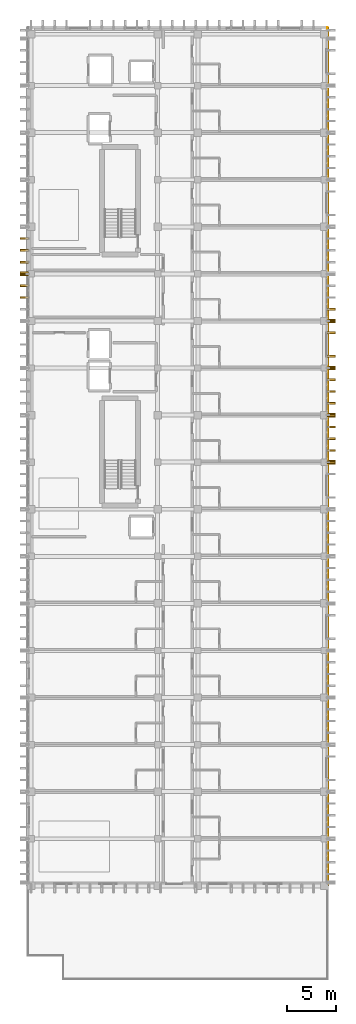
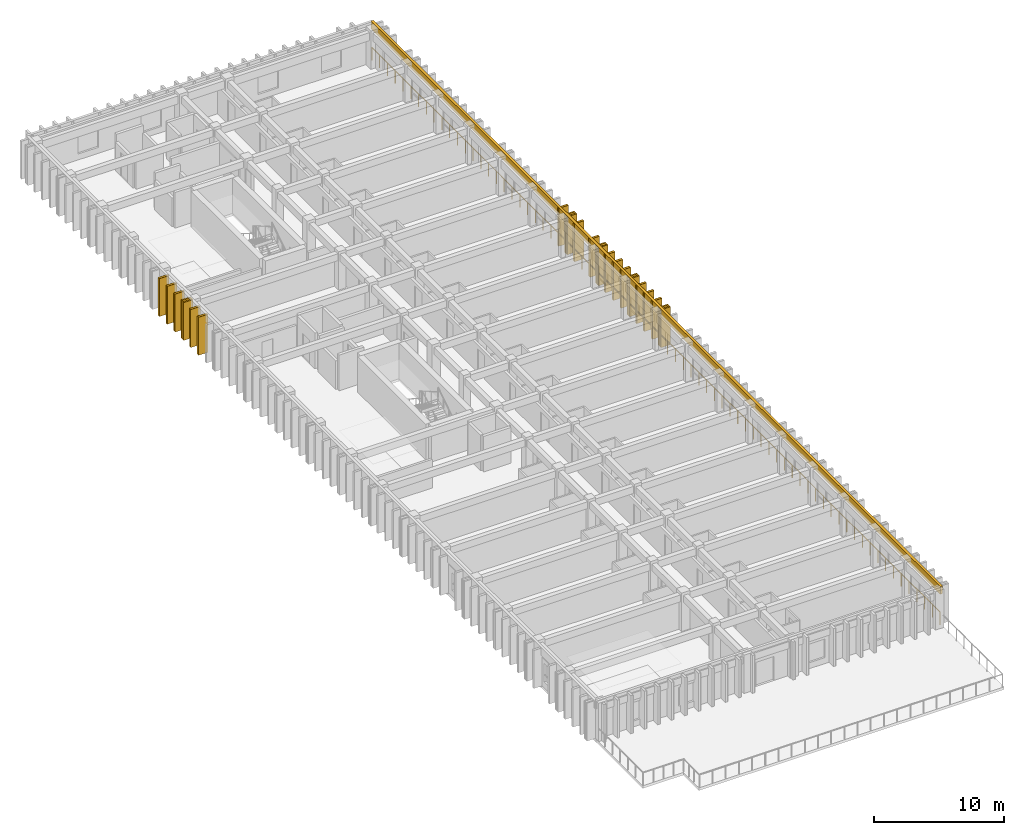
# One storey, part 62 of 64: 20 coverings, 19 shading devices, 1 railing.
"""IFC4 building model written with IfcOpenShell, lengths in metres."""

from ifc_helpers import new_model, si_unit, direction, frame, origin, origin_2d, place, context, subcontext, project, spatial, rectangle, circle, extrude, material, layer, layer_set, type_object, element, save


model = new_model("IFC4")

# Units and contexts
model_context = context("Model", 3, precision=1e-05, world=origin(), true_north=direction((0.0, 1.0)))
body_context = subcontext(model_context, "Body", "Model", "MODEL_VIEW")
ifc_project = project(units=[si_unit("LENGTHUNIT", "METRE"), si_unit("AREAUNIT", "SQUARE_METRE"), si_unit("VOLUMEUNIT", "CUBIC_METRE"), si_unit("PLANEANGLEUNIT", "RADIAN"), si_unit("MASSUNIT", "GRAM", prefix="KILO")], contexts=[model_context])

# Site, building, storey
site_placement = place(None, origin())
site = spatial("IfcSite", under=ifc_project, at=site_placement, CompositionType="ELEMENT")
building_placement = place(site_placement, origin())
building = spatial("IfcBuilding", under=site, at=building_placement, Name="Nakhvara Creek Congress Hotel", CompositionType="ELEMENT")
storey_placement = place(building_placement, frame((0.0, 0.0, 28.199951171875)))
storey = spatial("IfcBuildingStorey", under=building, at=storey_placement, Name="L06", CompositionType="ELEMENT", Elevation=28.199951171875)

# Coverings
ifc_material_1 = material(Name="Honed pale Omani limestone architectural cladding", Category="masonry")
ifc_layer_1 = layer(ifc_material_1, 0.219970703125)
ifc_layer_set_1 = layer_set([ifc_layer_1], Name="Honed pale Omani limestone architectural cladding")
covering_type_1 = type_object("IfcCoveringType", Name="COV-FIN-850", PredefinedType="CLADDING", material=ifc_layer_set_1)
covering_1_placement = place(storey_placement, frame((180.054931640625, 81.60009765625, 0.0), z_axis=(0.0, 0.0, 1.0), x_axis=(0.0, 1.0, 0.0)))
element("IfcCovering", 1, at=covering_1_placement, inside=storey, type_object=covering_type_1, Name="Pale Limestone Fin Cladding CF01-1687", PredefinedType="CLADDING", context=body_context, shape_type="SweptSolid", body=[
    extrude(rectangle(XDim=0.43994140625, YDim=0.85009765625, at=origin_2d()), origin(), (0.0, 0.0, 1.0), 3.56005859375),
])
for number, where, z_axis, x_axis, name in (
    (2, (180.054931640625, 82.800048828125, 0.0), (0.0, 0.0, 1.0), (0.0, 1.0, 0.0), "Pale Limestone Fin Cladding CF01-1689"),
    (3, (180.054931640625, 84.0, 0.0), (0.0, 0.0, 1.0), (0.0, 1.0, 0.0), "Pale Limestone Fin Cladding CF01-1691"),
    (4, (180.054931640625, 85.199951171875, 0.0), (0.0, 0.0, 1.0), (0.0, 1.0, 0.0), "Pale Limestone Fin Cladding CF01-1693"),
):
    element("IfcCovering", number, at=place(storey_placement, frame(where, z_axis=z_axis, x_axis=x_axis)), inside=storey, type_object=covering_type_1, Name=name, PredefinedType="CLADDING", context=body_context, shape_type="SweptSolid", body=[
        extrude(rectangle(XDim=0.219970703125, YDim=0.85009765625, at=origin_2d()), origin(), (0.0, 0.0, 1.0), 3.56005859375),
    ])
covering_2_placement = place(storey_placement, frame((180.054931640625, 86.39990234375, 0.0), z_axis=(0.0, 0.0, 1.0), x_axis=(0.0, 1.0, 0.0)))
element("IfcCovering", 5, at=covering_2_placement, inside=storey, type_object=covering_type_1, Name="Pale Limestone Fin Cladding CF01-1695", PredefinedType="CLADDING", context=body_context, shape_type="SweptSolid", body=[
    extrude(rectangle(XDim=0.43994140625, YDim=0.85009765625, at=origin_2d()), origin(), (0.0, 0.0, 1.0), 3.56005859375),
])
for number, where, z_axis, x_axis, name in (
    (6, (180.054931640625, 87.60009765625, 0.0), (0.0, 0.0, 1.0), (0.0, 1.0, 0.0), "Pale Limestone Fin Cladding CF01-1697"),
    (7, (180.054931640625, 88.800048828125, 0.0), (0.0, 0.0, 1.0), (0.0, 1.0, 0.0), "Pale Limestone Fin Cladding CF01-1699"),
    (8, (180.054931640625, 90.0, 0.0), (0.0, 0.0, 1.0), (0.0, 1.0, 0.0), "Pale Limestone Fin Cladding CF01-1701"),
):
    element("IfcCovering", number, at=place(storey_placement, frame(where, z_axis=z_axis, x_axis=x_axis)), inside=storey, type_object=covering_type_1, Name=name, PredefinedType="CLADDING", context=body_context, shape_type="SweptSolid", body=[
        extrude(rectangle(XDim=0.219970703125, YDim=0.85009765625, at=origin_2d()), origin(), (0.0, 0.0, 1.0), 3.56005859375),
    ])
covering_3_placement = place(storey_placement, frame((180.054931640625, 91.199951171875, 0.0), z_axis=(0.0, 0.0, 1.0), x_axis=(0.0, 1.0, 0.0)))
element("IfcCovering", 9, at=covering_3_placement, inside=storey, type_object=covering_type_1, Name="Pale Limestone Fin Cladding CF01-1703", PredefinedType="CLADDING", context=body_context, shape_type="SweptSolid", body=[
    extrude(rectangle(XDim=0.43994140625, YDim=0.85009765625, at=origin_2d()), origin(), (0.0, 0.0, 1.0), 3.56005859375),
])
for number, where, z_axis, x_axis, name in (
    (10, (180.054931640625, 92.39990234375, 0.0), (0.0, 0.0, 1.0), (0.0, 1.0, 0.0), "Pale Limestone Fin Cladding CF01-1705"),
    (11, (180.054931640625, 94.800048828125, 0.0), (0.0, 0.0, 1.0), (0.0, 1.0, 0.0), "Pale Limestone Fin Cladding CF01-1708"),
):
    element("IfcCovering", number, at=place(storey_placement, frame(where, z_axis=z_axis, x_axis=x_axis)), inside=storey, type_object=covering_type_1, Name=name, PredefinedType="CLADDING", context=body_context, shape_type="SweptSolid", body=[
        extrude(rectangle(XDim=0.219970703125, YDim=0.85009765625, at=origin_2d()), origin(), (0.0, 0.0, 1.0), 3.56005859375),
    ])
covering_4_placement = place(storey_placement, frame((180.054931640625, 96.0, 0.0), z_axis=(0.0, 0.0, 1.0), x_axis=(0.0, 1.0, 0.0)))
element("IfcCovering", 12, at=covering_4_placement, inside=storey, type_object=covering_type_1, Name="Pale Limestone Fin Cladding CF01-1710", PredefinedType="CLADDING", context=body_context, shape_type="SweptSolid", body=[
    extrude(rectangle(XDim=0.43994140625, YDim=0.85009765625, at=origin_2d()), origin(), (0.0, 0.0, 1.0), 3.56005859375),
])
for number, where, z_axis, x_axis, name in (
    (13, (180.054931640625, 97.199951171875, 0.0), (0.0, 0.0, 1.0), (0.0, 1.0, 0.0), "Pale Limestone Fin Cladding CF01-1712"),
    (14, (148.7451171875, 98.39990234375, 0.0), (0.0, 0.0, 1.0), (0.0, 1.0, 0.0), "Pale Limestone Fin Cladding CF01-1715"),
    (15, (148.7451171875, 99.60009765625, 0.0), (0.0, 0.0, 1.0), (0.0, 1.0, 0.0), "Pale Limestone Fin Cladding CF01-1717"),
):
    element("IfcCovering", number, at=place(storey_placement, frame(where, z_axis=z_axis, x_axis=x_axis)), inside=storey, type_object=covering_type_1, Name=name, PredefinedType="CLADDING", context=body_context, shape_type="SweptSolid", body=[
        extrude(rectangle(XDim=0.219970703125, YDim=0.85009765625, at=origin_2d()), origin(), (0.0, 0.0, 1.0), 3.56005859375),
    ])
covering_5_placement = place(storey_placement, frame((148.7451171875, 100.800048828125, 0.0), z_axis=(0.0, 0.0, 1.0), x_axis=(0.0, 1.0, 0.0)))
element("IfcCovering", 16, at=covering_5_placement, inside=storey, type_object=covering_type_1, Name="Pale Limestone Fin Cladding CF01-1719", PredefinedType="CLADDING", context=body_context, shape_type="SweptSolid", body=[
    extrude(rectangle(XDim=0.43994140625, YDim=0.85009765625, at=origin_2d()), origin(), (0.0, 0.0, 1.0), 3.56005859375),
])
for number, where, z_axis, x_axis, name in (
    (17, (148.7451171875, 102.0, 0.0), (0.0, 0.0, 1.0), (0.0, 1.0, 0.0), "Pale Limestone Fin Cladding CF01-1721"),
    (18, (148.7451171875, 103.199951171875, 0.0), (0.0, 0.0, 1.0), (0.0, 1.0, 0.0), "Pale Limestone Fin Cladding CF01-1723"),
    (19, (148.7451171875, 104.39990234375, 0.0), (0.0, 0.0, 1.0), (0.0, 1.0, 0.0), "Pale Limestone Fin Cladding CF01-1725"),
):
    element("IfcCovering", number, at=place(storey_placement, frame(where, z_axis=z_axis, x_axis=x_axis)), inside=storey, type_object=covering_type_1, Name=name, PredefinedType="CLADDING", context=body_context, shape_type="SweptSolid", body=[
        extrude(rectangle(XDim=0.219970703125, YDim=0.85009765625, at=origin_2d()), origin(), (0.0, 0.0, 1.0), 3.56005859375),
    ])
ifc_layer_2 = layer(ifc_material_1, 0.179931640625)
ifc_layer_set_2 = layer_set([ifc_layer_2], Name="Honed pale Omani limestone architectural cladding")
covering_type_2 = type_object("IfcCoveringType", Name="COV-SPN-180", PredefinedType="CLADDING", material=ifc_layer_set_2)
covering_6_placement = place(storey_placement, frame((179.739990234375, 82.199951171875, 2.91015625), z_axis=(0.0, 0.0, 1.0), x_axis=(0.0, 1.0, 0.0)))
element("IfcCovering", 20, at=covering_6_placement, inside=storey, type_object=covering_type_2, Name="Pale Limestone Spandrel Band CF02-0065", PredefinedType="CLADDING", context=body_context, shape_type="SweptSolid", body=[
    extrude(rectangle(XDim=87.60009765625, YDim=0.219970703125, at=origin_2d()), origin(), (0.0, 0.0, 1.0), 0.72998046875),
])

# Railing
ifc_material_2 = material(Name="Brushed stainless steel 316L", Category="steel")
railing_type = type_object("IfcRailingType", Name="RL-GUARD-1200", PredefinedType="GUARDRAIL", material=ifc_material_2)
railing_placement = place(storey_placement, frame((179.669921875, 38.47998046875, 0.0)))
element("IfcRailing", 21, at=railing_placement, inside=storey, type_object=railing_type, Name="Perimeter Safety Rail East L06", PredefinedType="GUARDRAIL", context=body_context, shape_type="SweptSolid", body=[
    extrude(circle(Radius=0.02392578125, at=origin_2d()), frame((0.0, 0.0146484375, 1.17578125), z_axis=(0.0, 1.0, 0.0), x_axis=(-1.0, 0.0, 0.0)), (0.0, 0.0, 1.0), 87.41064453125),
    extrude(circle(Radius=0.02099609375, at=origin_2d()), origin(), (0.0, 0.0, 1.0), 1.1806640625),
    extrude(circle(Radius=0.02099609375, at=origin_2d()), frame((0.0, 1.19775390625, 0.0)), (0.0, 0.0, 1.0), 1.1806640625),
    extrude(circle(Radius=0.02099609375, at=origin_2d()), frame((0.0, 2.3955078125, 0.0)), (0.0, 0.0, 1.0), 1.1806640625),
    extrude(circle(Radius=0.02099609375, at=origin_2d()), frame((0.0, 3.593505859375, 0.0)), (0.0, 0.0, 1.0), 1.1806640625),
    extrude(circle(Radius=0.02099609375, at=origin_2d()), frame((0.0, 4.791259765625, 0.0)), (0.0, 0.0, 1.0), 1.1806640625),
    extrude(circle(Radius=0.02099609375, at=origin_2d()), frame((0.0, 5.989013671875, 0.0)), (0.0, 0.0, 1.0), 1.1806640625),
    extrude(circle(Radius=0.02099609375, at=origin_2d()), frame((0.0, 7.186767578125, 0.0)), (0.0, 0.0, 1.0), 1.1806640625),
    extrude(circle(Radius=0.02099609375, at=origin_2d()), frame((0.0, 8.384765625, 0.0)), (0.0, 0.0, 1.0), 1.1806640625),
    extrude(circle(Radius=0.02099609375, at=origin_2d()), frame((0.0, 9.58251953125, 0.0)), (0.0, 0.0, 1.0), 1.1806640625),
    extrude(circle(Radius=0.02099609375, at=origin_2d()), frame((0.0, 10.7802734375, 0.0)), (0.0, 0.0, 1.0), 1.1806640625),
    extrude(circle(Radius=0.02099609375, at=origin_2d()), frame((0.0, 11.97802734375, 0.0)), (0.0, 0.0, 1.0), 1.1806640625),
    extrude(circle(Radius=0.02099609375, at=origin_2d()), frame((0.0, 13.17578125, 0.0)), (0.0, 0.0, 1.0), 1.1806640625),
    extrude(circle(Radius=0.02099609375, at=origin_2d()), frame((0.0, 14.373779296875, 0.0)), (0.0, 0.0, 1.0), 1.1806640625),
    extrude(circle(Radius=0.02099609375, at=origin_2d()), frame((0.0, 15.571533203125, 0.0)), (0.0, 0.0, 1.0), 1.1806640625),
    extrude(circle(Radius=0.02099609375, at=origin_2d()), frame((0.0, 16.769287109375, 0.0)), (0.0, 0.0, 1.0), 1.1806640625),
    extrude(circle(Radius=0.02099609375, at=origin_2d()), frame((0.0, 17.967041015625, 0.0)), (0.0, 0.0, 1.0), 1.1806640625),
    extrude(circle(Radius=0.02099609375, at=origin_2d()), frame((0.0, 19.1650390625, 0.0)), (0.0, 0.0, 1.0), 1.1806640625),
    extrude(circle(Radius=0.02099609375, at=origin_2d()), frame((0.0, 20.36279296875, 0.0)), (0.0, 0.0, 1.0), 1.1806640625),
    extrude(circle(Radius=0.02099609375, at=origin_2d()), frame((0.0, 21.560546875, 0.0)), (0.0, 0.0, 1.0), 1.1806640625),
    extrude(circle(Radius=0.02099609375, at=origin_2d()), frame((0.0, 22.75830078125, 0.0)), (0.0, 0.0, 1.0), 1.1806640625),
    extrude(circle(Radius=0.02099609375, at=origin_2d()), frame((0.0, 23.9560546875, 0.0)), (0.0, 0.0, 1.0), 1.1806640625),
    extrude(circle(Radius=0.02099609375, at=origin_2d()), frame((0.0, 25.154052734375, 0.0)), (0.0, 0.0, 1.0), 1.1806640625),
    extrude(circle(Radius=0.02099609375, at=origin_2d()), frame((0.0, 26.351806640625, 0.0)), (0.0, 0.0, 1.0), 1.1806640625),
    extrude(circle(Radius=0.02099609375, at=origin_2d()), frame((0.0, 27.549560546875, 0.0)), (0.0, 0.0, 1.0), 1.1806640625),
    extrude(circle(Radius=0.02099609375, at=origin_2d()), frame((0.0, 28.747314453125, 0.0)), (0.0, 0.0, 1.0), 1.1806640625),
    extrude(circle(Radius=0.02099609375, at=origin_2d()), frame((0.0, 29.945068359375, 0.0)), (0.0, 0.0, 1.0), 1.1806640625),
    extrude(circle(Radius=0.02099609375, at=origin_2d()), frame((0.0, 31.14306640625, 0.0)), (0.0, 0.0, 1.0), 1.1806640625),
    extrude(circle(Radius=0.02099609375, at=origin_2d()), frame((0.0, 32.3408203125, 0.0)), (0.0, 0.0, 1.0), 1.1806640625),
    extrude(circle(Radius=0.02099609375, at=origin_2d()), frame((0.0, 33.53857421875, 0.0)), (0.0, 0.0, 1.0), 1.1806640625),
    extrude(circle(Radius=0.02099609375, at=origin_2d()), frame((0.0, 34.736328125, 0.0)), (0.0, 0.0, 1.0), 1.1806640625),
    extrude(circle(Radius=0.02099609375, at=origin_2d()), frame((0.0, 35.934326171875, 0.0)), (0.0, 0.0, 1.0), 1.1806640625),
    extrude(circle(Radius=0.02099609375, at=origin_2d()), frame((0.0, 37.132080078125, 0.0)), (0.0, 0.0, 1.0), 1.1806640625),
    extrude(circle(Radius=0.02099609375, at=origin_2d()), frame((0.0, 38.329833984375, 0.0)), (0.0, 0.0, 1.0), 1.1806640625),
    extrude(circle(Radius=0.02099609375, at=origin_2d()), frame((0.0, 39.527587890625, 0.0)), (0.0, 0.0, 1.0), 1.1806640625),
    extrude(circle(Radius=0.02099609375, at=origin_2d()), frame((0.0, 40.725341796875, 0.0)), (0.0, 0.0, 1.0), 1.1806640625),
    extrude(circle(Radius=0.02099609375, at=origin_2d()), frame((0.0, 41.92333984375, 0.0)), (0.0, 0.0, 1.0), 1.1806640625),
    extrude(circle(Radius=0.02099609375, at=origin_2d()), frame((0.0, 43.12109375, 0.0)), (0.0, 0.0, 1.0), 1.1806640625),
    extrude(circle(Radius=0.02099609375, at=origin_2d()), frame((0.0, 44.31884765625, 0.0)), (0.0, 0.0, 1.0), 1.1806640625),
    extrude(circle(Radius=0.02099609375, at=origin_2d()), frame((0.0, 45.5166015625, 0.0)), (0.0, 0.0, 1.0), 1.1806640625),
    extrude(circle(Radius=0.02099609375, at=origin_2d()), frame((0.0, 46.714599609375, 0.0)), (0.0, 0.0, 1.0), 1.1806640625),
    extrude(circle(Radius=0.02099609375, at=origin_2d()), frame((0.0, 47.912353515625, 0.0)), (0.0, 0.0, 1.0), 1.1806640625),
    extrude(circle(Radius=0.02099609375, at=origin_2d()), frame((0.0, 49.110107421875, 0.0)), (0.0, 0.0, 1.0), 1.1806640625),
    extrude(circle(Radius=0.02099609375, at=origin_2d()), frame((0.0, 50.307861328125, 0.0)), (0.0, 0.0, 1.0), 1.1806640625),
    extrude(circle(Radius=0.02099609375, at=origin_2d()), frame((0.0, 51.505615234375, 0.0)), (0.0, 0.0, 1.0), 1.1806640625),
    extrude(circle(Radius=0.02099609375, at=origin_2d()), frame((0.0, 52.70361328125, 0.0)), (0.0, 0.0, 1.0), 1.1806640625),
    extrude(circle(Radius=0.02099609375, at=origin_2d()), frame((0.0, 53.9013671875, 0.0)), (0.0, 0.0, 1.0), 1.1806640625),
    extrude(circle(Radius=0.02099609375, at=origin_2d()), frame((0.0, 55.09912109375, 0.0)), (0.0, 0.0, 1.0), 1.1806640625),
    extrude(circle(Radius=0.02099609375, at=origin_2d()), frame((0.0, 56.296875, 0.0)), (0.0, 0.0, 1.0), 1.1806640625),
    extrude(circle(Radius=0.02099609375, at=origin_2d()), frame((0.0, 57.494873046875, 0.0)), (0.0, 0.0, 1.0), 1.1806640625),
    extrude(circle(Radius=0.02099609375, at=origin_2d()), frame((0.0, 58.692626953125, 0.0)), (0.0, 0.0, 1.0), 1.1806640625),
    extrude(circle(Radius=0.02099609375, at=origin_2d()), frame((0.0, 59.890380859375, 0.0)), (0.0, 0.0, 1.0), 1.1806640625),
    extrude(circle(Radius=0.02099609375, at=origin_2d()), frame((0.0, 61.088134765625, 0.0)), (0.0, 0.0, 1.0), 1.1806640625),
    extrude(circle(Radius=0.02099609375, at=origin_2d()), frame((0.0, 62.285888671875, 0.0)), (0.0, 0.0, 1.0), 1.1806640625),
    extrude(circle(Radius=0.02099609375, at=origin_2d()), frame((0.0, 63.48388671875, 0.0)), (0.0, 0.0, 1.0), 1.1806640625),
    extrude(circle(Radius=0.02099609375, at=origin_2d()), frame((0.0, 64.681640625, 0.0)), (0.0, 0.0, 1.0), 1.1806640625),
    extrude(circle(Radius=0.02099609375, at=origin_2d()), frame((0.0, 65.87939453125, 0.0)), (0.0, 0.0, 1.0), 1.1806640625),
    extrude(circle(Radius=0.02099609375, at=origin_2d()), frame((0.0, 67.0771484375, 0.0)), (0.0, 0.0, 1.0), 1.1806640625),
    extrude(circle(Radius=0.02099609375, at=origin_2d()), frame((0.0, 68.27490234375, 0.0)), (0.0, 0.0, 1.0), 1.1806640625),
    extrude(circle(Radius=0.02099609375, at=origin_2d()), frame((0.0, 69.472900390625, 0.0)), (0.0, 0.0, 1.0), 1.1806640625),
    extrude(circle(Radius=0.02099609375, at=origin_2d()), frame((0.0, 70.670654296875, 0.0)), (0.0, 0.0, 1.0), 1.1806640625),
    extrude(circle(Radius=0.02099609375, at=origin_2d()), frame((0.0, 71.868408203125, 0.0)), (0.0, 0.0, 1.0), 1.1806640625),
    extrude(circle(Radius=0.02099609375, at=origin_2d()), frame((0.0, 73.066162109375, 0.0)), (0.0, 0.0, 1.0), 1.1806640625),
    extrude(circle(Radius=0.02099609375, at=origin_2d()), frame((0.0, 74.26416015625, 0.0)), (0.0, 0.0, 1.0), 1.1806640625),
    extrude(circle(Radius=0.02099609375, at=origin_2d()), frame((0.0, 75.4619140625, 0.0)), (0.0, 0.0, 1.0), 1.1806640625),
    extrude(circle(Radius=0.02099609375, at=origin_2d()), frame((0.0, 76.65966796875, 0.0)), (0.0, 0.0, 1.0), 1.1806640625),
    extrude(circle(Radius=0.02099609375, at=origin_2d()), frame((0.0, 77.857421875, 0.0)), (0.0, 0.0, 1.0), 1.1806640625),
    extrude(circle(Radius=0.02099609375, at=origin_2d()), frame((0.0, 79.05517578125, 0.0)), (0.0, 0.0, 1.0), 1.1806640625),
    extrude(circle(Radius=0.02099609375, at=origin_2d()), frame((0.0, 80.253173828125, 0.0)), (0.0, 0.0, 1.0), 1.1806640625),
    extrude(circle(Radius=0.02099609375, at=origin_2d()), frame((0.0, 81.450927734375, 0.0)), (0.0, 0.0, 1.0), 1.1806640625),
    extrude(circle(Radius=0.02099609375, at=origin_2d()), frame((0.0, 82.648681640625, 0.0)), (0.0, 0.0, 1.0), 1.1806640625),
    extrude(circle(Radius=0.02099609375, at=origin_2d()), frame((0.0, 83.846435546875, 0.0)), (0.0, 0.0, 1.0), 1.1806640625),
    extrude(circle(Radius=0.02099609375, at=origin_2d()), frame((0.0, 85.04443359375, 0.0)), (0.0, 0.0, 1.0), 1.1806640625),
    extrude(circle(Radius=0.02099609375, at=origin_2d()), frame((0.0, 86.2421875, 0.0)), (0.0, 0.0, 1.0), 1.1806640625),
    extrude(circle(Radius=0.02099609375, at=origin_2d()), frame((0.0, 87.43994140625, 0.0)), (0.0, 0.0, 1.0), 1.1806640625),
])

# Shading devices
ifc_material_3 = material(Name="Honed pale Omani limestone cladding on stainless steel spine", Category="masonry")
shading_device_type = type_object("IfcShadingDeviceType", Name="SHD-FIN-850X3600", PredefinedType="USERDEFINED", material=ifc_material_3)
for number, where, z_axis, x_axis, name in (
    (22, (180.054931640625, 81.60009765625, 0.0), (0.0, 0.0, 1.0), (0.0, 1.0, 0.0), "Limestone Solar Fin FN01-1552"),
    (23, (180.054931640625, 82.800048828125, 0.0), (0.0, 0.0, 1.0), (0.0, 1.0, 0.0), "Limestone Solar Fin FN01-1554"),
    (24, (180.054931640625, 84.0, 0.0), (0.0, 0.0, 1.0), (0.0, 1.0, 0.0), "Limestone Solar Fin FN01-1556"),
    (25, (180.054931640625, 85.199951171875, 0.0), (0.0, 0.0, 1.0), (0.0, 1.0, 0.0), "Limestone Solar Fin FN01-1558"),
    (26, (180.054931640625, 86.39990234375, 0.0), (0.0, 0.0, 1.0), (0.0, 1.0, 0.0), "Limestone Solar Fin FN01-1560"),
    (27, (180.054931640625, 87.60009765625, 0.0), (0.0, 0.0, 1.0), (0.0, 1.0, 0.0), "Limestone Solar Fin FN01-1562"),
    (28, (180.054931640625, 88.800048828125, 0.0), (0.0, 0.0, 1.0), (0.0, 1.0, 0.0), "Limestone Solar Fin FN01-1564"),
    (29, (180.054931640625, 90.0, 0.0), (0.0, 0.0, 1.0), (0.0, 1.0, 0.0), "Limestone Solar Fin FN01-1566"),
    (30, (180.054931640625, 91.199951171875, 0.0), (0.0, 0.0, 1.0), (0.0, 1.0, 0.0), "Limestone Solar Fin FN01-1568"),
    (31, (180.054931640625, 92.39990234375, 0.0), (0.0, 0.0, 1.0), (0.0, 1.0, 0.0), "Limestone Solar Fin FN01-1570"),
    (32, (180.054931640625, 94.800048828125, 0.0), (0.0, 0.0, 1.0), (0.0, 1.0, 0.0), "Limestone Solar Fin FN01-1573"),
    (33, (180.054931640625, 96.0, 0.0), (0.0, 0.0, 1.0), (0.0, 1.0, 0.0), "Limestone Solar Fin FN01-1575"),
    (34, (180.054931640625, 97.199951171875, 0.0), (0.0, 0.0, 1.0), (0.0, 1.0, 0.0), "Limestone Solar Fin FN01-1577"),
    (35, (148.7451171875, 98.39990234375, 0.0), (0.0, 0.0, 1.0), (0.0, 1.0, 0.0), "Limestone Solar Fin FN01-1580"),
    (36, (148.7451171875, 99.60009765625, 0.0), (0.0, 0.0, 1.0), (0.0, 1.0, 0.0), "Limestone Solar Fin FN01-1582"),
    (37, (148.7451171875, 100.800048828125, 0.0), (0.0, 0.0, 1.0), (0.0, 1.0, 0.0), "Limestone Solar Fin FN01-1584"),
    (38, (148.7451171875, 102.0, 0.0), (0.0, 0.0, 1.0), (0.0, 1.0, 0.0), "Limestone Solar Fin FN01-1586"),
    (39, (148.7451171875, 103.199951171875, 0.0), (0.0, 0.0, 1.0), (0.0, 1.0, 0.0), "Limestone Solar Fin FN01-1588"),
    (40, (148.7451171875, 104.39990234375, 0.0), (0.0, 0.0, 1.0), (0.0, 1.0, 0.0), "Limestone Solar Fin FN01-1590"),
):
    element("IfcShadingDevice", number, at=place(storey_placement, frame(where, z_axis=z_axis, x_axis=x_axis)), inside=storey, type_object=shading_device_type, Name=name, ObjectType="FIN", PredefinedType="USERDEFINED", context=body_context, shape_type="SweptSolid", body=[
        extrude(rectangle(XDim=0.179931640625, YDim=0.85009765625, at=origin_2d()), origin(), (0.0, 0.0, 1.0), 3.56005859375),
    ])

save(model, "model.ifc")
